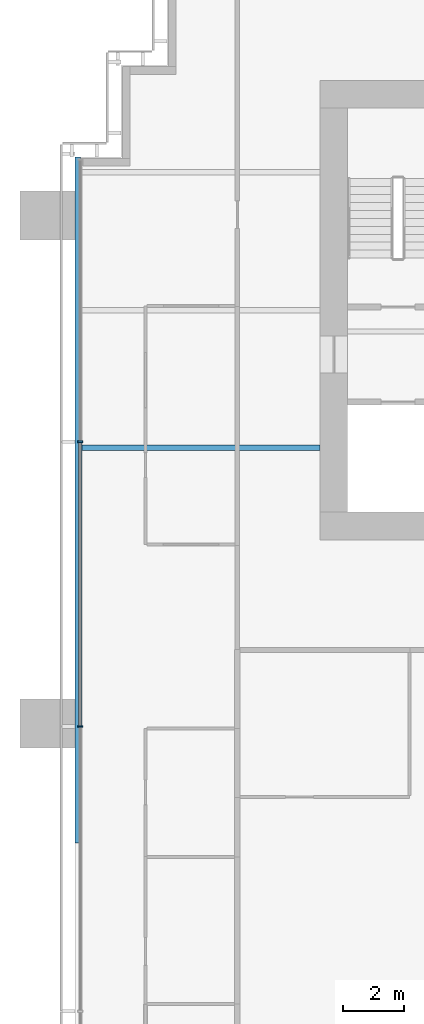
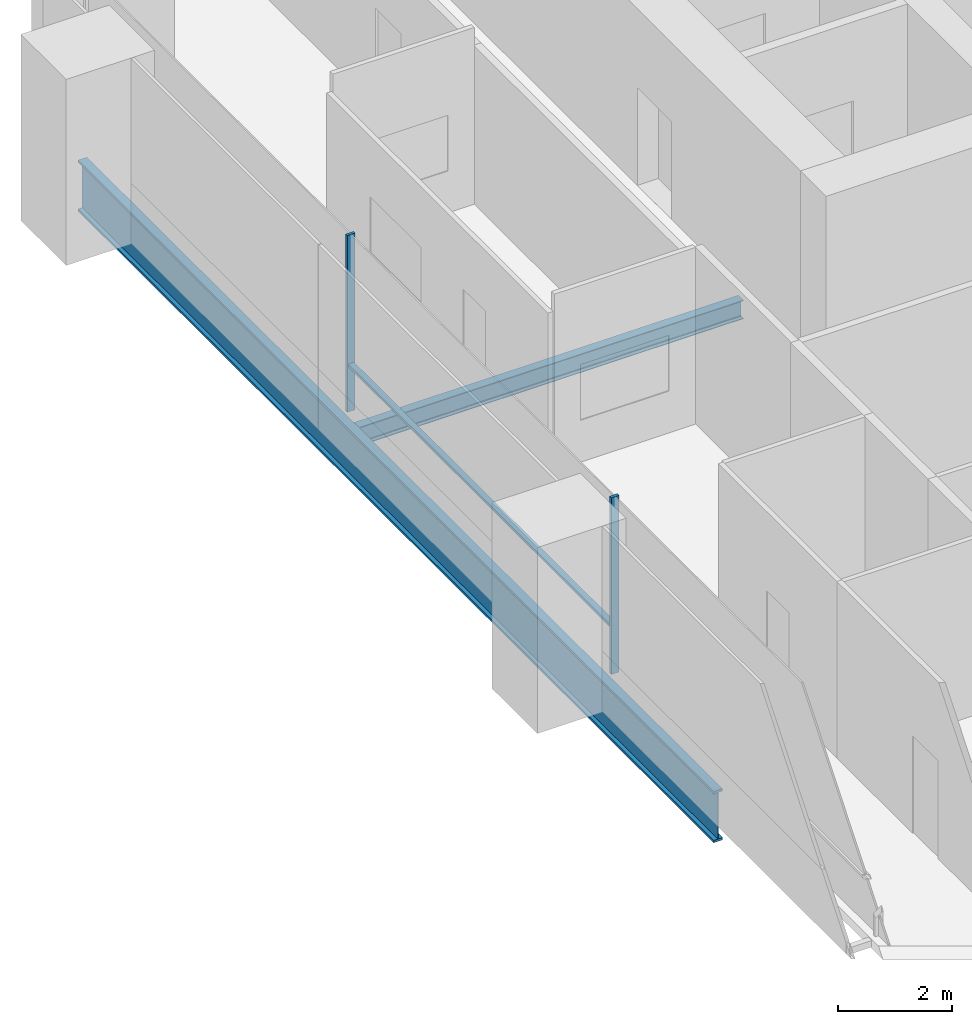
# One storey, part 4 of 19: 3 members, 2 beams, 1 element without a shape of its own.
"""IFC4 building model written with IfcOpenShell, lengths in metres."""

from ifc_helpers import new_model, si_unit, direction, frame, origin, origin_2d, place, context, subcontext, project, spatial, rectangle, i_section, extrude, material, material_profile, profile_set, type_object, element, aggregate, save


model = new_model("IFC4")

# Units and contexts
model_context = context("Model", 3, precision=1e-05, world=origin(), true_north=direction((0.0, 1.0)))
body_context = subcontext(model_context, "Body", "Model", "MODEL_VIEW")
ifc_project = project(units=[si_unit("LENGTHUNIT", "METRE"), si_unit("AREAUNIT", "SQUARE_METRE"), si_unit("VOLUMEUNIT", "CUBIC_METRE"), si_unit("PLANEANGLEUNIT", "RADIAN"), si_unit("MASSUNIT", "GRAM", prefix="KILO")], contexts=[model_context])

# Site, building, storey
site_placement = place(None, origin())
site = spatial("IfcSite", under=ifc_project, at=site_placement, CompositionType="ELEMENT")
building_placement = place(site_placement, origin())
building = spatial("IfcBuilding", under=site, at=building_placement, Name="Rattan Terrace Tower", CompositionType="ELEMENT")
storey_placement = place(building_placement, frame((0.0, 0.0, 99.699951171875)))
storey = spatial("IfcBuildingStorey", under=building, at=storey_placement, Name="L22", CompositionType="ELEMENT", Elevation=99.699951171875)

# Curtain wall, members
ifc_material_1 = material(Name="Aluminium and glass", Category="aluminium")
curtain_wall_type = type_object("IfcCurtainWallType", Name="Facade Unitised Curtain Wall", PredefinedType="NOTDEFINED", material=ifc_material_1)
curtain_wall_placement = place(storey_placement, origin())
curtain_wall = element("IfcCurtainWall", 1, at=curtain_wall_placement, inside=storey, type_object=curtain_wall_type, Name="Curtain wall L22-3", PredefinedType="NOTDEFINED")
ifc_material_2 = material(Name="Aluminium", Category="aluminium")
ifc_material_profile_1 = material_profile(ifc_material_2, rectangle(XDim=0.06005859375, YDim=0.159912109375, at=origin_2d()), Name="Aluminium 60x160")
ifc_profile_set_1 = profile_set([ifc_material_profile_1], Name="Aluminium")
member_type_1 = type_object("IfcMemberType", Name="Facade CW Mullion 60x160", PredefinedType="MULLION", material=ifc_profile_set_1)
member_1_placement = place(storey_placement, frame((-25.830078125, -4.300048828125, 0.0), z_axis=(0.0, 0.0, 1.0), x_axis=(0.0, -1.0, 0.0)))
member_1 = element("IfcMember", 2, at=member_1_placement, type_object=member_type_1, Name="Mullion cwl-L22-003.2", PredefinedType="MULLION", context=body_context, shape_type="SweptSolid", body=[
    extrude(rectangle(XDim=0.06005859375, YDim=0.159912109375, at=origin_2d()), origin(), (0.0, 0.0, 1.0), 3.800048828125),
])
member_2_placement = place(storey_placement, frame((-25.830078125, -13.60009765625, 0.0), z_axis=(0.0, 0.0, 1.0), x_axis=(0.0, -1.0, 0.0)))
member_2 = element("IfcMember", 3, at=member_2_placement, type_object=member_type_1, Name="Mullion cwl-L22-003.3", PredefinedType="MULLION", context=body_context, shape_type="SweptSolid", body=[
    extrude(rectangle(XDim=0.06005859375, YDim=0.159912109375, at=origin_2d()), origin(), (0.0, 0.0, 1.0), 3.800048828125),
])
ifc_material_3 = material(Name="Aluminium", Category="aluminium")
ifc_material_profile_2 = material_profile(ifc_material_3, rectangle(XDim=0.1201171875, YDim=0.06005859375, at=origin_2d()), Name="Aluminium 120x60")
ifc_profile_set_2 = profile_set([ifc_material_profile_2], Name="Aluminium")
member_type_2 = type_object("IfcMemberType", Name="Facade CW Transom 120x60", PredefinedType="USERDEFINED", material=ifc_profile_set_2)
member_3_placement = place(storey_placement, frame((-25.830078125, -4.330078125, 1.0), z_axis=(0.0, -1.0, 0.0), x_axis=(1.0, 0.0, 0.0)))
member_3 = element("IfcMember", 4, at=member_3_placement, type_object=member_type_2, Name="Transom cwl-L22-003.2", ObjectType="TRANSOM", PredefinedType="USERDEFINED", context=body_context, shape_type="SweptSolid", body=[
    extrude(rectangle(XDim=0.1201171875, YDim=0.06005859375, at=origin_2d()), origin(), (0.0, 0.0, 1.0), 9.239990234375),
])
aggregate(curtain_wall, [member_1, member_2, member_3])

# Beams
ifc_material_4 = material(Name="Steel S460", Category="steel")
ifc_material_profile_3 = material_profile(ifc_material_4, i_section(OverallWidth=0.179931640625, OverallDepth=1.10009765625, WebThickness=0.01611328125, FlangeThickness=0.050048828125, at=origin_2d()), Name="PG 1100x180-16-50")
ifc_profile_set_3 = profile_set([ifc_material_profile_3], Name="Steel S460")
beam_type_1 = type_object("IfcBeamType", Name="Frame edge girder PG 1100x180-16-50", PredefinedType="SPANDREL", material=ifc_profile_set_3)
beam_1_placement = place(storey_placement, frame((-25.909912109375, -17.39990234375, -0.75), z_axis=(0.0, 1.0, 0.0), x_axis=(-1.0, 0.0, 0.0)))
element("IfcBeam", 5, at=beam_1_placement, inside=storey, type_object=beam_type_1, Name="gdr-L22-004", PredefinedType="SPANDREL", context=body_context, shape_type="SweptSolid", body=[
    extrude(i_section(OverallWidth=0.179931640625, OverallDepth=1.10009765625, WebThickness=0.01611328125, FlangeThickness=0.050048828125, at=origin_2d()), origin(), (0.0, 0.0, 1.0), 22.39990234375),
])
ifc_material_5 = material(Name="Steel S355", Category="steel")
ifc_material_profile_4 = material_profile(ifc_material_5, i_section(OverallWidth=0.179931640625, OverallDepth=0.39990234375, WebThickness=0.008544921875, FlangeThickness=0.013427734375, FilletRadius=0.02099609375, at=origin_2d()), Name="IPE 400")
ifc_profile_set_4 = profile_set([ifc_material_profile_4], Name="Steel S355")
beam_type_2 = type_object("IfcBeamType", Name="Frame floor beam IPE 400", PredefinedType="JOIST", material=ifc_profile_set_4)
beam_2_placement = place(storey_placement, frame((-25.820068359375, -4.5, -0.39990234375), z_axis=(1.0, 0.0, 0.0), x_axis=(0.0, 1.0, 0.0)))
element("IfcBeam", 6, at=beam_2_placement, inside=storey, type_object=beam_type_2, Name="bm-L22-012", PredefinedType="JOIST", context=body_context, shape_type="SweptSolid", body=[
    extrude(i_section(OverallWidth=0.179931640625, OverallDepth=0.39990234375, WebThickness=0.008544921875, FlangeThickness=0.013427734375, FilletRadius=0.02099609375, at=origin_2d()), origin(), (0.0, 0.0, 1.0), 7.820068359375),
])

save(model, "model.ifc")
